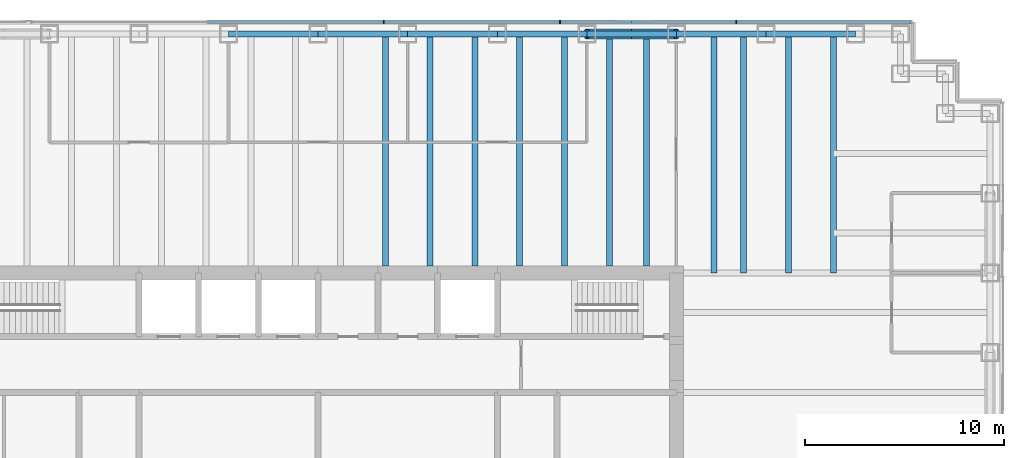
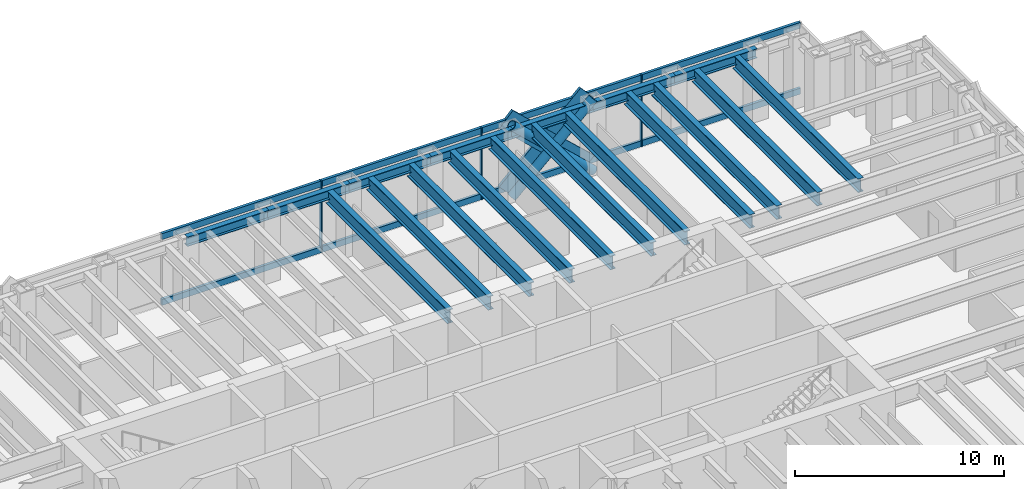
# One storey, part 7 of 17: 18 beams, 15 members, 1 element without a shape of its own.
"""IFC4 building model written with IfcOpenShell, lengths in metres."""

from ifc_helpers import new_model, si_unit, direction, frame, origin, origin_2d, place, context, subcontext, project, spatial, rectangle, hollow_circle, i_section, extrude, material, material_profile, profile_set, type_object, element, aggregate, save


model = new_model("IFC4")

# Units and contexts
model_context = context("Model", 3, precision=1e-05, world=origin(), true_north=direction((0.0, 1.0)))
body_context = subcontext(model_context, "Body", "Model", "MODEL_VIEW")
ifc_project = project(units=[si_unit("LENGTHUNIT", "METRE"), si_unit("AREAUNIT", "SQUARE_METRE"), si_unit("VOLUMEUNIT", "CUBIC_METRE"), si_unit("PLANEANGLEUNIT", "RADIAN"), si_unit("MASSUNIT", "GRAM", prefix="KILO")], contexts=[model_context])

# Site, building, storey
site_placement = place(None, origin())
site = spatial("IfcSite", under=ifc_project, at=site_placement, CompositionType="ELEMENT")
building_placement = place(site_placement, origin())
building = spatial("IfcBuilding", under=site, at=building_placement, Name="Rheinbord Bourse Tower", CompositionType="ELEMENT")
storey_placement = place(building_placement, frame((0.0, 0.0, 287.89990234375)))
storey = spatial("IfcBuildingStorey", under=building, at=storey_placement, Name="L65", CompositionType="ELEMENT", Elevation=287.89990234375)

# Curtain wall, members
ifc_material_1 = material(Name="Dark glass and black aluminium", Category="aluminium")
curtain_wall_type = type_object("IfcCurtainWallType", Name="CW3 DARK GLASS CURTAIN WALL", PredefinedType="USERDEFINED", material=ifc_material_1)
curtain_wall_placement = place(storey_placement, origin())
curtain_wall = element("IfcCurtainWall", 1, at=curtain_wall_placement, inside=storey, type_object=curtain_wall_type, Name="Curtain wall CW3 N L65", ObjectType="UNITISED CURTAIN WALL", PredefinedType="USERDEFINED")
ifc_material_2 = material(Name="Black anodised aluminium", Category="aluminium")
ifc_material_profile_1 = material_profile(ifc_material_2, rectangle(XDim=0.14990234375, YDim=1.10791015625, at=origin_2d()), Name="CW3 DIAGONAL MULLION 1108x150")
ifc_profile_set_1 = profile_set([ifc_material_profile_1], Name="Black anodised aluminium")
member_type_1 = type_object("IfcMemberType", Name="CW3 BLACK DIAGONAL MULLION", PredefinedType="USERDEFINED", material=ifc_profile_set_1)
member_1_placement = place(storey_placement, frame((49.5, 44.60009765625, 0.0), z_axis=(0.731039441158, 0.0, 0.682335207557), x_axis=(0.0, 1.0, 0.0)))
member_1 = element("IfcMember", 2, at=member_1_placement, type_object=member_type_1, Name="CW3 diagonal mullion a", ObjectType="DIAGONAL MULLION", PredefinedType="USERDEFINED", context=body_context, shape_type="SweptSolid", body=[
    extrude(rectangle(XDim=0.14990234375, YDim=1.10791015625, at=origin_2d()), origin(), (0.0, 0.0, 1.0), 6.155517578125),
])
member_2_placement = place(storey_placement, frame((54.0, 44.60009765625, 0.0), z_axis=(-0.731039441158, 0.0, 0.682335207557), x_axis=(0.0, -1.0, 0.0)))
member_2 = element("IfcMember", 3, at=member_2_placement, type_object=member_type_1, Name="CW3 diagonal mullion c", ObjectType="DIAGONAL MULLION", PredefinedType="USERDEFINED", context=body_context, shape_type="SweptSolid", body=[
    extrude(rectangle(XDim=0.14990234375, YDim=1.10791015625, at=origin_2d()), origin(), (0.0, 0.0, 1.0), 6.155517578125),
])
ifc_material_3 = material(Name="Black anodised aluminium", Category="aluminium")
ifc_material_profile_2 = material_profile(ifc_material_3, rectangle(XDim=0.199951171875, YDim=0.06494140625, at=origin_2d()), Name="CW3 MULLION 65x200")
ifc_profile_set_2 = profile_set([ifc_material_profile_2], Name="Black anodised aluminium")
member_type_2 = type_object("IfcMemberType", Name="CW3 BLACK MULLION", PredefinedType="MULLION", material=ifc_profile_set_2)
member_3_placement = place(storey_placement, frame((57.0, 44.60009765625, 0.0), z_axis=(0.0, 0.0, 1.0), x_axis=(0.0, -1.0, 0.0)))
member_3 = element("IfcMember", 4, at=member_3_placement, type_object=member_type_2, Name="CW3 mullion 2", PredefinedType="MULLION", context=body_context, shape_type="SweptSolid", body=[
    extrude(rectangle(XDim=0.199951171875, YDim=0.06494140625, at=origin_2d()), origin(), (0.0, 0.0, 1.0), 4.2001953125),
])
member_4_placement = place(storey_placement, frame((48.14990234375, 44.60009765625, 0.0), z_axis=(0.0, 0.0, 1.0), x_axis=(0.0, -1.0, 0.0)))
member_4 = element("IfcMember", 5, at=member_4_placement, type_object=member_type_2, Name="CW3 mullion 3", PredefinedType="MULLION", context=body_context, shape_type="SweptSolid", body=[
    extrude(rectangle(XDim=0.199951171875, YDim=0.06494140625, at=origin_2d()), origin(), (0.0, 0.0, 1.0), 4.2001953125),
])
member_5_placement = place(storey_placement, frame((39.300048828125, 44.60009765625, 0.0), z_axis=(0.0, 0.0, 1.0), x_axis=(0.0, -1.0, 0.0)))
member_5 = element("IfcMember", 6, at=member_5_placement, type_object=member_type_2, Name="CW3 mullion 4", PredefinedType="MULLION", context=body_context, shape_type="SweptSolid", body=[
    extrude(rectangle(XDim=0.199951171875, YDim=0.06494140625, at=origin_2d()), origin(), (0.0, 0.0, 1.0), 4.2001953125),
])
ifc_material_4 = material(Name="Black anodised aluminium", Category="aluminium")
ifc_material_profile_3 = material_profile(ifc_material_4, rectangle(XDim=0.14990234375, YDim=0.35009765625, at=origin_2d()), Name="CW3 TRANSOM 350x150")
ifc_profile_set_3 = profile_set([ifc_material_profile_3], Name="Black anodised aluminium")
member_type_3 = type_object("IfcMemberType", Name="CW3 BLACK TRANSOM", PredefinedType="USERDEFINED", material=ifc_profile_set_3)
member_6_placement = place(storey_placement, frame((65.784912109375, 44.60009765625, 0.175048828125), z_axis=(-1.0, 0.0, 0.0), x_axis=(0.0, -1.0, 0.0)))
member_6 = element("IfcMember", 7, at=member_6_placement, type_object=member_type_3, Name="CW3 transom 1.1", ObjectType="TRANSOM", PredefinedType="USERDEFINED", context=body_context, shape_type="SweptSolid", body=[
    extrude(rectangle(XDim=0.14990234375, YDim=0.35009765625, at=origin_2d()), origin(), (0.0, 0.0, 1.0), 8.75244140625),
])
member_7_placement = place(storey_placement, frame((65.784912109375, 44.60009765625, 4.025146484375), z_axis=(-1.0, 0.0, 0.0), x_axis=(0.0, -1.0, 0.0)))
member_7 = element("IfcMember", 8, at=member_7_placement, type_object=member_type_3, Name="CW3 transom 1.2", ObjectType="TRANSOM", PredefinedType="USERDEFINED", context=body_context, shape_type="SweptSolid", body=[
    extrude(rectangle(XDim=0.14990234375, YDim=0.35009765625, at=origin_2d()), origin(), (0.0, 0.0, 1.0), 8.75244140625),
])
member_8_placement = place(storey_placement, frame((56.967529296875, 44.60009765625, 0.175048828125), z_axis=(-1.0, 0.0, 0.0), x_axis=(0.0, -1.0, 0.0)))
member_8 = element("IfcMember", 9, at=member_8_placement, type_object=member_type_3, Name="CW3 transom 2.1", ObjectType="TRANSOM", PredefinedType="USERDEFINED", context=body_context, shape_type="SweptSolid", body=[
    extrude(rectangle(XDim=0.14990234375, YDim=0.35009765625, at=origin_2d()), origin(), (0.0, 0.0, 1.0), 8.784912109375),
])
member_9_placement = place(storey_placement, frame((56.967529296875, 44.60009765625, 4.025146484375), z_axis=(-1.0, 0.0, 0.0), x_axis=(0.0, -1.0, 0.0)))
member_9 = element("IfcMember", 10, at=member_9_placement, type_object=member_type_3, Name="CW3 transom 2.2", ObjectType="TRANSOM", PredefinedType="USERDEFINED", context=body_context, shape_type="SweptSolid", body=[
    extrude(rectangle(XDim=0.14990234375, YDim=0.35009765625, at=origin_2d()), origin(), (0.0, 0.0, 1.0), 8.784912109375),
])
member_10_placement = place(storey_placement, frame((48.117431640625, 44.60009765625, 0.175048828125), z_axis=(-1.0, 0.0, 0.0), x_axis=(0.0, -1.0, 0.0)))
member_10 = element("IfcMember", 11, at=member_10_placement, type_object=member_type_3, Name="CW3 transom 3.1", ObjectType="TRANSOM", PredefinedType="USERDEFINED", context=body_context, shape_type="SweptSolid", body=[
    extrude(rectangle(XDim=0.14990234375, YDim=0.35009765625, at=origin_2d()), origin(), (0.0, 0.0, 1.0), 8.784912109375),
])
member_11_placement = place(storey_placement, frame((48.117431640625, 44.60009765625, 4.025146484375), z_axis=(-1.0, 0.0, 0.0), x_axis=(0.0, -1.0, 0.0)))
member_11 = element("IfcMember", 12, at=member_11_placement, type_object=member_type_3, Name="CW3 transom 3.2", ObjectType="TRANSOM", PredefinedType="USERDEFINED", context=body_context, shape_type="SweptSolid", body=[
    extrude(rectangle(XDim=0.14990234375, YDim=0.35009765625, at=origin_2d()), origin(), (0.0, 0.0, 1.0), 8.784912109375),
])
member_12_placement = place(storey_placement, frame((39.267578125, 44.60009765625, 0.175048828125), z_axis=(-1.0, 0.0, 0.0), x_axis=(0.0, -1.0, 0.0)))
member_12 = element("IfcMember", 13, at=member_12_placement, type_object=member_type_3, Name="CW3 transom 4.1", ObjectType="TRANSOM", PredefinedType="USERDEFINED", context=body_context, shape_type="SweptSolid", body=[
    extrude(rectangle(XDim=0.14990234375, YDim=0.35009765625, at=origin_2d()), origin(), (0.0, 0.0, 1.0), 8.78515625),
])
member_13_placement = place(storey_placement, frame((39.267578125, 44.60009765625, 4.025146484375), z_axis=(-1.0, 0.0, 0.0), x_axis=(0.0, -1.0, 0.0)))
member_13 = element("IfcMember", 14, at=member_13_placement, type_object=member_type_3, Name="CW3 transom 4.2", ObjectType="TRANSOM", PredefinedType="USERDEFINED", context=body_context, shape_type="SweptSolid", body=[
    extrude(rectangle(XDim=0.14990234375, YDim=0.35009765625, at=origin_2d()), origin(), (0.0, 0.0, 1.0), 8.78515625),
])
aggregate(curtain_wall, [member_3, member_4, member_5, member_6, member_7, member_8, member_9, member_10, member_11, member_12, member_13, member_1, member_2])

# Beams
ifc_material_5 = material(Name="Steel S460", Category="steel")
ifc_material_profile_4 = material_profile(ifc_material_5, i_section(OverallWidth=0.300048828125, OverallDepth=0.800048828125, WebThickness=0.017578125, FlangeThickness=0.032958984375, at=origin_2d()), Name="HEB 800")
ifc_profile_set_4 = profile_set([ifc_material_profile_4], Name="Steel S460")
beam_type_1 = type_object("IfcBeamType", Name="FLOOR BEAM HEB 800", PredefinedType="BEAM", material=ifc_profile_set_4)
for number, where, z_axis, x_axis, name in (
    (15, (39.375, 44.0, 3.64013671875), (0.0, -1.0, 0.0), (1.0, 0.0, 0.0), "Floor beam N-36b L66"),
    (16, (41.625, 44.0, 3.64013671875), (0.0, -1.0, 0.0), (1.0, 0.0, 0.0), "Floor beam N-40.5a L66"),
    (17, (43.875, 44.0, 3.64013671875), (0.0, -1.0, 0.0), (1.0, 0.0, 0.0), "Floor beam N-40.5b L66"),
    (18, (46.125, 44.0, 3.64013671875), (0.0, -1.0, 0.0), (1.0, 0.0, 0.0), "Floor beam N-45a L66"),
    (19, (48.375, 44.0, 3.64013671875), (0.0, -1.0, 0.0), (1.0, 0.0, 0.0), "Floor beam N-45b L66"),
    (20, (50.625, 44.0, 3.64013671875), (0.0, -1.0, 0.0), (1.0, 0.0, 0.0), "Floor beam N-49.5a L66"),
    (21, (52.5, 44.0, 3.64013671875), (0.0, -1.0, 0.0), (1.0, 0.0, 0.0), "Floor beam N-49.5b L66"),
):
    element("IfcBeam", number, at=place(storey_placement, frame(where, z_axis=z_axis, x_axis=x_axis)), inside=storey, type_object=beam_type_1, Name=name, PredefinedType="BEAM", context=body_context, shape_type="SweptSolid", body=[
        extrude(i_section(OverallWidth=0.300048828125, OverallDepth=0.800048828125, WebThickness=0.017578125, FlangeThickness=0.032958984375, at=origin_2d()), origin(), (0.0, 0.0, 1.0), 11.64990234375),
    ])
for number, where, z_axis, x_axis, name in (
    (22, (55.875, 44.0, 3.64013671875), (0.0, -1.0, 0.0), (1.0, 0.0, 0.0), "Floor beam N-54a L66"),
    (23, (57.375, 44.0, 3.64013671875), (0.0, -1.0, 0.0), (1.0, 0.0, 0.0), "Floor beam N-54b L66"),
    (24, (59.625, 44.0, 3.64013671875), (0.0, -1.0, 0.0), (1.0, 0.0, 0.0), "Floor beam N-58.5a L66"),
    (25, (61.875, 44.0, 3.64013671875), (0.0, -1.0, 0.0), (1.0, 0.0, 0.0), "Floor beam N-58.5b L66"),
):
    element("IfcBeam", number, at=place(storey_placement, frame(where, z_axis=z_axis, x_axis=x_axis)), inside=storey, type_object=beam_type_1, Name=name, PredefinedType="BEAM", context=body_context, shape_type="SweptSolid", body=[
        extrude(i_section(OverallWidth=0.300048828125, OverallDepth=0.800048828125, WebThickness=0.017578125, FlangeThickness=0.032958984375, at=origin_2d()), origin(), (0.0, 0.0, 1.0), 12.0),
    ])

# Members
ifc_material_6 = material(Name="Steel S460", Category="steel")
ifc_material_profile_5 = material_profile(ifc_material_6, hollow_circle(Radius=0.25390625, WallThickness=0.030029296875, at=origin_2d()), Name="CHS 508x30")
ifc_profile_set_5 = profile_set([ifc_material_profile_5], Name="Steel S460")
member_type_4 = type_object("IfcMemberType", Name="MEGABRACE CHS 508x30", PredefinedType="BRACE", material=ifc_profile_set_5)
for number, where, z_axis, x_axis, name in (
    (26, (49.5, 44.0, 0.0), (0.731039441158, 0.0, 0.682335207557), (0.0, 1.0, 0.0), "Megabrace N face line a L65"),
    (27, (54.0, 44.0, 0.0), (-0.731039441158, 0.0, 0.682335207557), (0.0, -1.0, 0.0), "Megabrace N face line c L65"),
):
    element("IfcMember", number, at=place(storey_placement, frame(where, z_axis=z_axis, x_axis=x_axis)), inside=storey, type_object=member_type_4, Name=name, PredefinedType="BRACE", context=body_context, shape_type="SweptSolid", body=[
        extrude(hollow_circle(Radius=0.25390625, WallThickness=0.030029296875, at=origin_2d()), origin(), (0.0, 0.0, 1.0), 6.155517578125),
    ])

# Beams
ifc_material_7 = material(Name="Steel S460", Category="steel")
ifc_material_profile_6 = material_profile(ifc_material_7, i_section(OverallWidth=0.300048828125, OverallDepth=0.550048828125, WebThickness=0.014892578125, FlangeThickness=0.029052734375, at=origin_2d()), Name="HEB 550")
ifc_profile_set_6 = profile_set([ifc_material_profile_6], Name="Steel S460")
beam_type_2 = type_object("IfcBeamType", Name="SPANDREL HEB 550", PredefinedType="SPANDREL", material=ifc_profile_set_6)
for number, where, z_axis, x_axis, name in (
    (28, (63.0, 44.0, 3.76513671875), (-1.0, 0.0, 0.0), (0.0, -1.0, 0.0), "Spandrel N-63-N-58.5 under L66"),
    (29, (58.5, 44.0, 3.76513671875), (-1.0, 0.0, 0.0), (0.0, -1.0, 0.0), "Spandrel N-58.5-N-54 under L66"),
    (30, (54.0, 44.0, 3.76513671875), (-1.0, 0.0, 0.0), (0.0, -1.0, 0.0), "Spandrel N-54-N-49.5 under L66"),
    (31, (49.5, 44.0, 3.76513671875), (-1.0, 0.0, 0.0), (0.0, -1.0, 0.0), "Spandrel N-49.5-N-45 under L66"),
    (32, (45.0, 44.0, 3.76513671875), (-1.0, 0.0, 0.0), (0.0, -1.0, 0.0), "Spandrel N-45-N-40.5 under L66"),
    (33, (40.5, 44.0, 3.76513671875), (-1.0, 0.0, 0.0), (0.0, -1.0, 0.0), "Spandrel N-40.5-N-36 under L66"),
    (34, (36.0, 44.0, 3.76513671875), (-1.0, 0.0, 0.0), (0.0, -1.0, 0.0), "Spandrel N-36-N-31.5 under L66"),
):
    element("IfcBeam", number, at=place(storey_placement, frame(where, z_axis=z_axis, x_axis=x_axis)), inside=storey, type_object=beam_type_2, Name=name, PredefinedType="SPANDREL", context=body_context, shape_type="SweptSolid", body=[
        extrude(i_section(OverallWidth=0.300048828125, OverallDepth=0.550048828125, WebThickness=0.014892578125, FlangeThickness=0.029052734375, at=origin_2d()), origin(), (0.0, 0.0, 1.0), 4.5),
    ])

save(model, "model.ifc")
